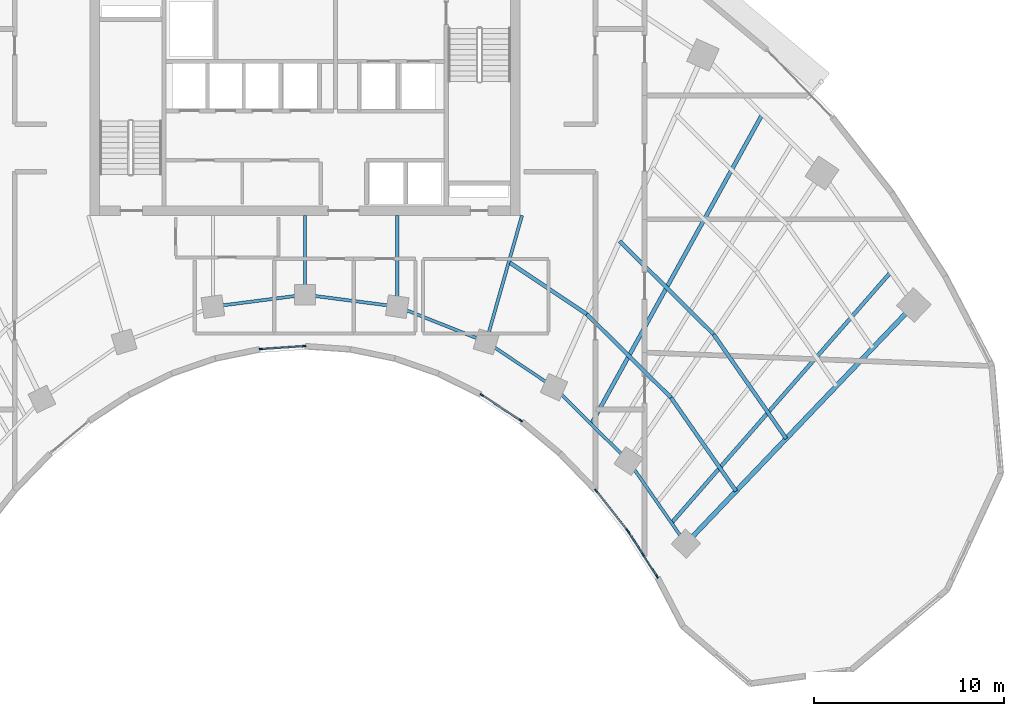
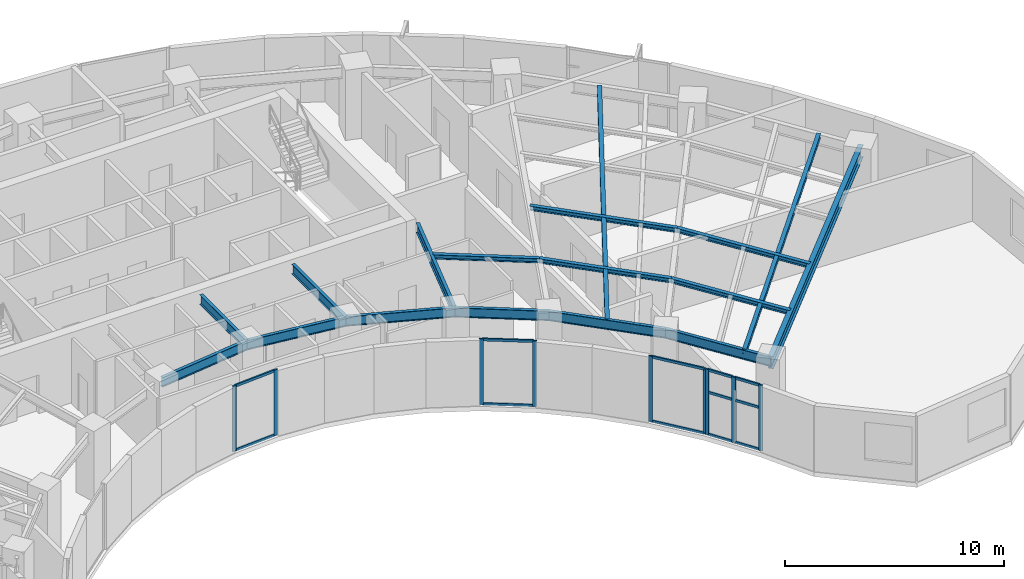
# One storey, part 3 of 14: 21 members, 17 beams, 4 elements without a shape of their own.
"""IFC4 building model written with IfcOpenShell, lengths in metres."""

from ifc_helpers import new_model, si_unit, direction, frame, origin, origin_2d, place, context, subcontext, project, spatial, rectangle, i_section, extrude, source, transform, mapped, material, layer, layer_set, material_profile, profile_set, type_object, type_shapes, element, aggregate, save


model = new_model("IFC4")

# Units and contexts
model_context = context("Model", 3, precision=1e-05, world=origin(), true_north=direction((0.0, 1.0)))
body_context = subcontext(model_context, "Body", "Model", "MODEL_VIEW")
ifc_project = project(units=[si_unit("LENGTHUNIT", "METRE"), si_unit("AREAUNIT", "SQUARE_METRE"), si_unit("VOLUMEUNIT", "CUBIC_METRE"), si_unit("PLANEANGLEUNIT", "RADIAN"), si_unit("MASSUNIT", "GRAM", prefix="KILO")], contexts=[model_context])

# Site, building, storey
site_placement = place(None, origin())
site = spatial("IfcSite", under=ifc_project, at=site_placement, CompositionType="ELEMENT")
building_placement = place(site_placement, origin())
building = spatial("IfcBuilding", under=site, at=building_placement, Name="Breltana Convention Tower", CompositionType="ELEMENT")
storey_placement = place(building_placement, frame((0.0, 0.0, 119.39990234375)))
storey = spatial("IfcBuildingStorey", under=building, at=storey_placement, Name="L28", CompositionType="ELEMENT", Elevation=119.39990234375)

# Beams
ifc_material_1 = material(Name="Steel ASTM A992 Grade 50", Category="steel")
ifc_material_profile_1 = material_profile(ifc_material_1, i_section(OverallWidth=0.25390625, OverallDepth=0.68798828125, WebThickness=0.01318359375, FlangeThickness=0.02099609375, at=origin_2d()), Name="W27X102")
ifc_profile_set_1 = profile_set([ifc_material_profile_1], Name="Steel ASTM A992 Grade 50")
beam_type_1 = type_object("IfcBeamType", Name="BM-RG-W27X102", PredefinedType="USERDEFINED", material=ifc_profile_set_1)
shared_shape_1 = source(origin(), body_context, "Body", "SweptSolid", [
    extrude(i_section(OverallWidth=0.25390625, OverallDepth=0.68798828125, WebThickness=0.01318359375, FlangeThickness=0.02099609375, at=origin_2d()), origin(), (0.0, 0.0, 1.0), 17.341064453125),
])
type_shapes(beam_type_1, [shared_shape_1])
beam_1_placement = place(storey_placement, frame((68.015380859375, 42.95458984375, 3.30615234375), z_axis=(0.690716462293, 0.723125693581, 0.0), x_axis=(-0.723125693581, 0.690716462293, 0.0)))
element("IfcBeam", 1, at=beam_1_placement, inside=storey, type_object=beam_type_1, Name="L28 Radial Floor Girder R11", ObjectType="GIRDER", PredefinedType="USERDEFINED", context=body_context, shape_type="MappedRepresentation", body=[
    mapped(shared_shape_1, transform((0.0, 0.0, 0.0), scale=1.0)),
])
ifc_material_profile_2 = material_profile(ifc_material_1, i_section(OverallWidth=0.166015625, OverallDepth=0.534912109375, WebThickness=0.01025390625, FlangeThickness=0.0166015625, at=origin_2d()), Name="W21X57")
ifc_profile_set_2 = profile_set([ifc_material_profile_2], Name="Steel ASTM A992 Grade 50")
beam_type_2 = type_object("IfcBeamType", Name="BM-BM-W21X57", PredefinedType="BEAM", material=ifc_profile_set_2)
shared_shape_2 = source(origin(), body_context, "Body", "SweptSolid", [
    extrude(i_section(OverallWidth=0.166015625, OverallDepth=0.534912109375, WebThickness=0.01025390625, FlangeThickness=0.0166015625, at=origin_2d()), origin(), (0.0, 0.0, 1.0), 6.904541015625),
])
type_shapes(beam_type_2, [shared_shape_2])
beam_2_placement = place(storey_placement, frame((59.39990234375, 60.199951171875, 3.382568359375), z_axis=(-0.273006781054, -0.962012108811, 0.0), x_axis=(0.962012108811, -0.273006781054, 0.0)))
element("IfcBeam", 2, at=beam_2_placement, inside=storey, type_object=beam_type_2, Name="L28 South Core Tie Girder R08", PredefinedType="BEAM", context=body_context, shape_type="MappedRepresentation", body=[
    mapped(shared_shape_2, transform((0.0, 0.0, 0.0), scale=1.0)),
])
shared_shape_3 = source(origin(), body_context, "Body", "SweptSolid", [
    extrude(i_section(OverallWidth=0.166015625, OverallDepth=0.534912109375, WebThickness=0.01025390625, FlangeThickness=0.0166015625, at=origin_2d()), origin(), (0.0, 0.0, 1.0), 4.789306640625),
])
beam_3_placement = place(storey_placement, frame((52.846435546875, 60.199951171875, 3.382568359375), z_axis=(0.0, -1.0, 0.0), x_axis=(1.0, 0.0, 0.0)))
element("IfcBeam", 3, at=beam_3_placement, inside=storey, type_object=beam_type_2, Name="L28 South Core Tie Girder R07", PredefinedType="BEAM", context=body_context, shape_type="MappedRepresentation", body=[
    mapped(shared_shape_3, transform((0.0, 0.0, 0.0), scale=1.0)),
])
shared_shape_4 = source(origin(), body_context, "Body", "SweptSolid", [
    extrude(i_section(OverallWidth=0.166015625, OverallDepth=0.534912109375, WebThickness=0.01025390625, FlangeThickness=0.0166015625, at=origin_2d()), origin(), (0.0, 0.0, 1.0), 4.1640625),
])
beam_4_placement = place(storey_placement, frame((48.0, 60.199951171875, 3.382568359375), z_axis=(0.0, -1.0, 0.0), x_axis=(1.0, 0.0, 0.0)))
element("IfcBeam", 4, at=beam_4_placement, inside=storey, type_object=beam_type_2, Name="L28 South Core Tie Girder R06", PredefinedType="BEAM", context=body_context, shape_type="MappedRepresentation", body=[
    mapped(shared_shape_4, transform((0.0, 0.0, 0.0), scale=1.0)),
])
shared_shape_5 = source(origin(), body_context, "Body", "SweptSolid", [
    extrude(i_section(OverallWidth=0.166015625, OverallDepth=0.534912109375, WebThickness=0.01025390625, FlangeThickness=0.0166015625, at=origin_2d()), origin(), (0.0, 0.0, 1.0), 5.022705078125),
])
beam_5_placement = place(storey_placement, frame((52.846435546875, 55.41064453125, 3.382568359375), z_axis=(0.929458966248, -0.368925507469, 0.0), x_axis=(0.368925507469, 0.929458966248, 0.0)))
element("IfcBeam", 5, at=beam_5_placement, inside=storey, type_object=beam_type_2, Name="L28 Inner Ring Beam 07", PredefinedType="BEAM", context=body_context, shape_type="MappedRepresentation", body=[
    mapped(shared_shape_5, transform((0.0, 0.0, 0.0), scale=1.0)),
])
shared_shape_6 = source(origin(), body_context, "Body", "SweptSolid", [
    extrude(i_section(OverallWidth=0.166015625, OverallDepth=0.534912109375, WebThickness=0.01025390625, FlangeThickness=0.0166015625, at=origin_2d()), origin(), (0.0, 0.0, 1.0), 4.88671875),
])
for number, where, z_axis, x_axis, name in (
    (6, (43.153564453125, 55.41064453125, 3.382568359375), (0.991780525565, 0.127950729231, 0.0), (-0.127950729231, 0.991780525565, 0.0), "L28 Inner Ring Beam 05"),
    (7, (48.0, 56.035888671875, 3.382568359375), (0.991780525565, -0.127950729231, 0.0), (0.127950729231, 0.991780525565, 0.0), "L28 Inner Ring Beam 06"),
):
    element("IfcBeam", number, at=place(storey_placement, frame(where, z_axis=z_axis, x_axis=x_axis)), inside=storey, type_object=beam_type_2, Name=name, PredefinedType="BEAM", context=body_context, shape_type="MappedRepresentation", body=[
        mapped(shared_shape_6, transform((0.0, 0.0, 0.0), scale=1.0)),
    ])
shared_shape_7 = source(origin(), body_context, "Body", "SweptSolid", [
    extrude(i_section(OverallWidth=0.166015625, OverallDepth=0.534912109375, WebThickness=0.01025390625, FlangeThickness=0.0166015625, at=origin_2d()), origin(), (0.0, 0.0, 1.0), 4.2900390625),
])
beam_6_placement = place(storey_placement, frame((57.514892578125, 53.5576171875, 3.382568359375), z_axis=(0.831515827753, -0.555501060482, 0.0), x_axis=(0.555501060482, 0.831515827753, 0.0)))
element("IfcBeam", 8, at=beam_6_placement, inside=storey, type_object=beam_type_2, Name="L28 Inner Ring Beam 08", PredefinedType="BEAM", context=body_context, shape_type="MappedRepresentation", body=[
    mapped(shared_shape_7, transform((0.0, 0.0, 0.0), scale=1.0)),
])
shared_shape_8 = source(origin(), body_context, "Body", "SweptSolid", [
    extrude(i_section(OverallWidth=0.166015625, OverallDepth=0.534912109375, WebThickness=0.01025390625, FlangeThickness=0.0166015625, at=origin_2d()), origin(), (0.0, 0.0, 1.0), 5.51171875),
])
beam_7_placement = place(storey_placement, frame((61.08203125, 51.174560546875, 3.382568359375), z_axis=(0.710090360749, -0.704110559196, 0.0), x_axis=(0.704110559196, 0.710090360749, 0.0)))
element("IfcBeam", 9, at=beam_7_placement, inside=storey, type_object=beam_type_2, Name="L28 Inner Ring Beam 09", PredefinedType="BEAM", context=body_context, shape_type="MappedRepresentation", body=[
    mapped(shared_shape_8, transform((0.0, 0.0, 0.0), scale=1.0)),
])
shared_shape_9 = source(origin(), body_context, "Body", "SweptSolid", [
    extrude(i_section(OverallWidth=0.166015625, OverallDepth=0.534912109375, WebThickness=0.01025390625, FlangeThickness=0.0166015625, at=origin_2d()), origin(), (0.0, 0.0, 1.0), 5.286376953125),
])
beam_8_placement = place(storey_placement, frame((64.995849609375, 47.293701171875, 3.382568359375), z_axis=(0.571194382458, -0.82081482531, 0.0), x_axis=(0.82081482531, 0.571194382458, 0.0)))
element("IfcBeam", 10, at=beam_8_placement, inside=storey, type_object=beam_type_2, Name="L28 Inner Ring Beam 10", PredefinedType="BEAM", context=body_context, shape_type="MappedRepresentation", body=[
    mapped(shared_shape_9, transform((0.0, 0.0, 0.0), scale=1.0)),
])
ifc_material_profile_3 = material_profile(ifc_material_1, i_section(OverallWidth=0.201904296875, OverallDepth=0.2470703125, WebThickness=0.00732421875, FlangeThickness=0.010986328125, at=origin_2d()), Name="W10X33")
ifc_profile_set_3 = profile_set([ifc_material_profile_3], Name="Steel ASTM A992 Grade 50")
beam_type_3 = type_object("IfcBeamType", Name="BM-JSG-11", PredefinedType="JOIST", material=ifc_profile_set_3)
shared_shape_10 = source(origin(), body_context, "Body", "SweptSolid", [
    extrude(i_section(OverallWidth=0.201904296875, OverallDepth=0.2470703125, WebThickness=0.00732421875, FlangeThickness=0.010986328125, at=origin_2d()), origin(), (0.0, 0.0, 1.0), 4.854736328125),
])
beam_9_placement = place(storey_placement, frame((58.767578125, 57.71240234375, 3.526611328125), z_axis=(0.831485074305, -0.555547091801, 0.0), x_axis=(0.555547091801, 0.831485074305, 0.0)))
element("IfcBeam", 11, at=beam_9_placement, inside=storey, type_object=beam_type_3, Name="L28 Composite Floor Joist 08.1", PredefinedType="JOIST", context=body_context, shape_type="MappedRepresentation", body=[
    mapped(shared_shape_10, transform((0.0, 0.0, 0.0), scale=1.0)),
])
shared_shape_11 = source(origin(), body_context, "Body", "SweptSolid", [
    extrude(i_section(OverallWidth=0.201904296875, OverallDepth=0.2470703125, WebThickness=0.00732421875, FlangeThickness=0.010986328125, at=origin_2d()), origin(), (0.0, 0.0, 1.0), 6.2373046875),
])
beam_10_placement = place(storey_placement, frame((62.80419921875, 55.015380859375, 3.526611328125), z_axis=(0.710114292485, -0.704086423394, 0.0), x_axis=(0.704086423394, 0.710114292485, 0.0)))
element("IfcBeam", 12, at=beam_10_placement, inside=storey, type_object=beam_type_3, Name="L28 Composite Floor Joist 09.1", PredefinedType="JOIST", context=body_context, shape_type="MappedRepresentation", body=[
    mapped(shared_shape_11, transform((0.0, 0.0, 0.0), scale=1.0)),
])
shared_shape_12 = source(origin(), body_context, "Body", "SweptSolid", [
    extrude(i_section(OverallWidth=0.201904296875, OverallDepth=0.2470703125, WebThickness=0.00732421875, FlangeThickness=0.010986328125, at=origin_2d()), origin(), (0.0, 0.0, 1.0), 6.963134765625),
])
beam_11_placement = place(storey_placement, frame((64.526611328125, 58.8564453125, 3.526611328125), z_axis=(0.71009817493, -0.704102678564, 0.0), x_axis=(0.704102678564, 0.71009817493, 0.0)))
element("IfcBeam", 13, at=beam_11_placement, inside=storey, type_object=beam_type_3, Name="L28 Composite Floor Joist 09.2", PredefinedType="JOIST", context=body_context, shape_type="MappedRepresentation", body=[
    mapped(shared_shape_12, transform((0.0, 0.0, 0.0), scale=1.0)),
])
ifc_material_profile_4 = material_profile(ifc_material_1, i_section(OverallWidth=0.2099609375, OverallDepth=0.537109375, WebThickness=0.010986328125, FlangeThickness=0.017333984375, at=origin_2d()), Name="W21X68")
ifc_profile_set_4 = profile_set([ifc_material_profile_4], Name="Steel ASTM A992 Grade 50")
beam_type_4 = type_object("IfcBeamType", Name="BM-JSG-04", PredefinedType="JOIST", material=ifc_profile_set_4)
shared_shape_13 = source(origin(), body_context, "Body", "SweptSolid", [
    extrude(i_section(OverallWidth=0.2099609375, OverallDepth=0.537109375, WebThickness=0.010986328125, FlangeThickness=0.017333984375, at=origin_2d()), origin(), (0.0, 0.0, 1.0), 18.617431640625),
])
beam_12_placement = place(storey_placement, frame((63.038818359375, 49.234130859375, 3.381591796875), z_axis=(0.483405602507, 0.875396495004, 0.0), x_axis=(-0.875396495004, 0.483405602507, 0.0)))
element("IfcBeam", 14, at=beam_12_placement, inside=storey, type_object=beam_type_4, Name="L28 Mid-Bay Radial Trimmer 09", PredefinedType="JOIST", context=body_context, shape_type="MappedRepresentation", body=[
    mapped(shared_shape_13, transform((0.0, 0.0, 0.0), scale=1.0)),
])
shared_shape_14 = source(origin(), body_context, "Body", "SweptSolid", [
    extrude(i_section(OverallWidth=0.201904296875, OverallDepth=0.2470703125, WebThickness=0.00732421875, FlangeThickness=0.010986328125, at=origin_2d()), origin(), (0.0, 0.0, 1.0), 5.982421875),
])
beam_13_placement = place(storey_placement, frame((67.2333984375, 50.623779296875, 3.526611328125), z_axis=(0.571211549446, -0.82080287876, 0.0), x_axis=(0.82080287876, 0.571211549446, 0.0)))
element("IfcBeam", 15, at=beam_13_placement, inside=storey, type_object=beam_type_3, Name="L28 Composite Floor Joist 10.1", PredefinedType="JOIST", context=body_context, shape_type="MappedRepresentation", body=[
    mapped(shared_shape_14, transform((0.0, 0.0, 0.0), scale=1.0)),
])
shared_shape_15 = source(origin(), body_context, "Body", "SweptSolid", [
    extrude(i_section(OverallWidth=0.201904296875, OverallDepth=0.2470703125, WebThickness=0.00732421875, FlangeThickness=0.010986328125, at=origin_2d()), origin(), (0.0, 0.0, 1.0), 6.677978515625),
])
beam_14_placement = place(storey_placement, frame((69.47119140625, 53.95361328125, 3.526611328125), z_axis=(0.571193018768, -0.820815774282, 0.0), x_axis=(0.820815774282, 0.571193018768, 0.0)))
element("IfcBeam", 16, at=beam_14_placement, inside=storey, type_object=beam_type_3, Name="L28 Composite Floor Joist 10.2", PredefinedType="JOIST", context=body_context, shape_type="MappedRepresentation", body=[
    mapped(shared_shape_15, transform((0.0, 0.0, 0.0), scale=1.0)),
])
shared_shape_16 = source(origin(), body_context, "Body", "SweptSolid", [
    extrude(i_section(OverallWidth=0.201904296875, OverallDepth=0.2470703125, WebThickness=0.00732421875, FlangeThickness=0.010986328125, at=origin_2d()), origin(), (0.0, 0.0, 1.0), 17.515625),
])
beam_15_placement = place(storey_placement, frame((67.260498046875, 44.03955078125, 3.526611328125), z_axis=(0.658051548324, 0.752972881151, 0.0), x_axis=(-0.752972881151, 0.658051548324, 0.0)))
element("IfcBeam", 17, at=beam_15_placement, inside=storey, type_object=beam_type_3, Name="L28 Quarter-Bay Radial Trimmer 10", PredefinedType="JOIST", context=body_context, shape_type="MappedRepresentation", body=[
    mapped(shared_shape_16, transform((0.0, 0.0, 0.0), scale=1.0)),
])

# Curtain wall, members
ifc_material_2 = material(Name="Aluminium Anodised Bronze Frame", Category="aluminium")
ifc_layer = layer(ifc_material_2, 0.18994140625, Name="Aluminium Anodised Bronze Frame")
ifc_layer_set = layer_set([ifc_layer], Name="Aluminium Anodised Bronze Frame")
curtain_wall_type = type_object("IfcCurtainWallType", Name="CW-SYS-1", PredefinedType="NOTDEFINED", material=ifc_layer_set)
curtain_wall_1_placement = place(storey_placement, origin())
curtain_wall_1 = element("IfcCurtainWall", 18, at=curtain_wall_1_placement, inside=storey, type_object=curtain_wall_type, Name="L28 inner south-court glazing 1", PredefinedType="NOTDEFINED")
ifc_material_3 = material(Name="Aluminium Anodised Bronze", Category="aluminium")
ifc_material_profile_5 = material_profile(ifc_material_3, rectangle(XDim=0.080078125, YDim=0.139892578125, at=origin_2d()), Name="CWT-80X140")
ifc_profile_set_5 = profile_set([ifc_material_profile_5], Name="Aluminium Anodised Bronze")
member_type_1 = type_object("IfcMemberType", Name="CWT-140", PredefinedType="USERDEFINED", material=ifc_profile_set_5)
shared_shape_17 = source(origin(), body_context, "Body", "SweptSolid", [
    extrude(rectangle(XDim=0.080078125, YDim=0.139892578125, at=origin_2d()), origin(), (0.0, 0.0, 1.0), 1.30029296875),
])
member_1_placement = place(storey_placement, frame((66.4794921875, 41.259521484375, 0.0400390625), z_axis=(-0.540188084224, 0.841544314735, 0.0), x_axis=(-0.841544314735, -0.540188084224, 0.0)))
member_1 = element("IfcMember", 19, at=member_1_placement, type_object=member_type_1, Name="CW-01 transom 1.1", ObjectType="TRANSOM", PredefinedType="USERDEFINED", context=body_context, shape_type="MappedRepresentation", body=[
    mapped(shared_shape_17, transform((0.0, 0.0, 0.0), scale=1.0)),
])
member_2_placement = place(storey_placement, frame((66.4794921875, 41.259521484375, 2.37255859375), z_axis=(-0.540188084224, 0.841544314735, 0.0), x_axis=(-0.841544314735, -0.540188084224, 0.0)))
member_2 = element("IfcMember", 20, at=member_2_placement, type_object=member_type_1, Name="CW-01 transom 1.2", ObjectType="TRANSOM", PredefinedType="USERDEFINED", context=body_context, shape_type="MappedRepresentation", body=[
    mapped(shared_shape_17, transform((0.0, 0.0, 0.0), scale=1.0)),
])
member_3_placement = place(storey_placement, frame((66.4794921875, 41.259521484375, 3.610107421875), z_axis=(-0.540188084224, 0.841544314735, 0.0), x_axis=(-0.841544314735, -0.540188084224, 0.0)))
member_3 = element("IfcMember", 21, at=member_3_placement, type_object=member_type_1, Name="CW-01 transom 1.3", ObjectType="TRANSOM", PredefinedType="USERDEFINED", context=body_context, shape_type="MappedRepresentation", body=[
    mapped(shared_shape_17, transform((0.0, 0.0, 0.0), scale=1.0)),
])
shared_shape_18 = source(origin(), body_context, "Body", "SweptSolid", [
    extrude(rectangle(XDim=0.080078125, YDim=0.139892578125, at=origin_2d()), origin(), (0.0, 0.0, 1.0), 1.300048828125),
])
member_4_placement = place(storey_placement, frame((65.73388671875, 42.4208984375, 0.0400390625), z_axis=(-0.540140453972, 0.841574886735, 0.0), x_axis=(-0.841574886735, -0.540140453972, 0.0)))
member_4 = element("IfcMember", 22, at=member_4_placement, type_object=member_type_1, Name="CW-01 transom 2.1", ObjectType="TRANSOM", PredefinedType="USERDEFINED", context=body_context, shape_type="MappedRepresentation", body=[
    mapped(shared_shape_18, transform((0.0, 0.0, 0.0), scale=1.0)),
])
member_5_placement = place(storey_placement, frame((65.73388671875, 42.4208984375, 2.37255859375), z_axis=(-0.540140453972, 0.841574886735, 0.0), x_axis=(-0.841574886735, -0.540140453972, 0.0)))
member_5 = element("IfcMember", 23, at=member_5_placement, type_object=member_type_1, Name="CW-01 transom 2.2", ObjectType="TRANSOM", PredefinedType="USERDEFINED", context=body_context, shape_type="MappedRepresentation", body=[
    mapped(shared_shape_18, transform((0.0, 0.0, 0.0), scale=1.0)),
])
member_6_placement = place(storey_placement, frame((65.73388671875, 42.4208984375, 3.610107421875), z_axis=(-0.540140453972, 0.841574886735, 0.0), x_axis=(-0.841574886735, -0.540140453972, 0.0)))
member_6 = element("IfcMember", 24, at=member_6_placement, type_object=member_type_1, Name="CW-01 transom 2.3", ObjectType="TRANSOM", PredefinedType="USERDEFINED", context=body_context, shape_type="MappedRepresentation", body=[
    mapped(shared_shape_18, transform((0.0, 0.0, 0.0), scale=1.0)),
])

curtain_wall_2_placement = place(storey_placement, origin())
curtain_wall_2 = element("IfcCurtainWall", 25, at=curtain_wall_2_placement, inside=storey, type_object=curtain_wall_type, Name="L28 inner south-court glazing 2", PredefinedType="NOTDEFINED")
shared_shape_19 = source(origin(), body_context, "Body", "SweptSolid", [
    extrude(rectangle(XDim=0.080078125, YDim=0.139892578125, at=origin_2d()), origin(), (0.0, 0.0, 1.0), 2.6005859375),
])
member_7_placement = place(storey_placement, frame((64.928955078125, 43.6591796875, 0.0400390625), z_axis=(-0.618078566977, 0.786116330478, 0.0), x_axis=(-0.786116330478, -0.618078566977, 0.0)))
member_7 = element("IfcMember", 26, at=member_7_placement, type_object=member_type_1, Name="CW-01 transom 1.1", ObjectType="TRANSOM", PredefinedType="USERDEFINED", context=body_context, shape_type="MappedRepresentation", body=[
    mapped(shared_shape_19, transform((0.0, 0.0, 0.0), scale=1.0)),
])
member_8_placement = place(storey_placement, frame((64.928955078125, 43.6591796875, 3.610107421875), z_axis=(-0.618078566977, 0.786116330478, 0.0), x_axis=(-0.786116330478, -0.618078566977, 0.0)))
member_8 = element("IfcMember", 27, at=member_8_placement, type_object=member_type_1, Name="CW-01 transom 1.2", ObjectType="TRANSOM", PredefinedType="USERDEFINED", context=body_context, shape_type="MappedRepresentation", body=[
    mapped(shared_shape_19, transform((0.0, 0.0, 0.0), scale=1.0)),
])

curtain_wall_3_placement = place(storey_placement, origin())
curtain_wall_3 = element("IfcCurtainWall", 28, at=curtain_wall_3_placement, inside=storey, type_object=curtain_wall_type, Name="L28 inner south-court glazing 3", PredefinedType="NOTDEFINED")
shared_shape_20 = source(origin(), body_context, "Body", "SweptSolid", [
    extrude(rectangle(XDim=0.080078125, YDim=0.139892578125, at=origin_2d()), origin(), (0.0, 0.0, 1.0), 2.3671875),
])
member_9_placement = place(storey_placement, frame((59.3037109375, 49.443115234375, 0.0400390625), z_axis=(-0.835979901311, 0.548760061051, 0.0), x_axis=(-0.548760061051, -0.835979901311, 0.0)))
member_9 = element("IfcMember", 29, at=member_9_placement, type_object=member_type_1, Name="CW-01 transom 1.1", ObjectType="TRANSOM", PredefinedType="USERDEFINED", context=body_context, shape_type="MappedRepresentation", body=[
    mapped(shared_shape_20, transform((0.0, 0.0, 0.0), scale=1.0)),
])
member_10_placement = place(storey_placement, frame((59.3037109375, 49.443115234375, 3.610107421875), z_axis=(-0.835979901311, 0.548760061051, 0.0), x_axis=(-0.548760061051, -0.835979901311, 0.0)))
member_10 = element("IfcMember", 30, at=member_10_placement, type_object=member_type_1, Name="CW-01 transom 1.2", ObjectType="TRANSOM", PredefinedType="USERDEFINED", context=body_context, shape_type="MappedRepresentation", body=[
    mapped(shared_shape_20, transform((0.0, 0.0, 0.0), scale=1.0)),
])

curtain_wall_4_placement = place(storey_placement, origin())
curtain_wall_4 = element("IfcCurtainWall", 31, at=curtain_wall_4_placement, inside=storey, type_object=curtain_wall_type, Name="L28 inner south-court glazing 4", PredefinedType="NOTDEFINED")
shared_shape_21 = source(origin(), body_context, "Body", "SweptSolid", [
    extrude(rectangle(XDim=0.080078125, YDim=0.139892578125, at=origin_2d()), origin(), (0.0, 0.0, 1.0), 2.195068359375),
])
member_11_placement = place(storey_placement, frame((47.907958984375, 53.3291015625, 0.0400390625), z_axis=(-0.99770320904, -0.067737040614, 0.0), x_axis=(0.067737040614, -0.99770320904, 0.0)))
member_11 = element("IfcMember", 32, at=member_11_placement, type_object=member_type_1, Name="CW-01 transom 1.1", ObjectType="TRANSOM", PredefinedType="USERDEFINED", context=body_context, shape_type="MappedRepresentation", body=[
    mapped(shared_shape_21, transform((0.0, 0.0, 0.0), scale=1.0)),
])
member_12_placement = place(storey_placement, frame((47.907958984375, 53.3291015625, 3.610107421875), z_axis=(-0.99770320904, -0.067737040614, 0.0), x_axis=(0.067737040614, -0.99770320904, 0.0)))
member_12 = element("IfcMember", 33, at=member_12_placement, type_object=member_type_1, Name="CW-01 transom 1.2", ObjectType="TRANSOM", PredefinedType="USERDEFINED", context=body_context, shape_type="MappedRepresentation", body=[
    mapped(shared_shape_21, transform((0.0, 0.0, 0.0), scale=1.0)),
])

# Member
ifc_material_profile_6 = material_profile(ifc_material_3, rectangle(XDim=0.080078125, YDim=0.199951171875, at=origin_2d()), Name="CWM-80X200")
ifc_profile_set_6 = profile_set([ifc_material_profile_6], Name="Aluminium Anodised Bronze")
member_type_2 = type_object("IfcMemberType", Name="CWM-200", PredefinedType="MULLION", material=ifc_profile_set_6)
shared_shape_22 = source(origin(), body_context, "Body", "SweptSolid", [
    extrude(rectangle(XDim=0.080078125, YDim=0.199951171875, at=origin_2d()), origin(), (0.0, 0.0, 1.0), 3.650146484375),
])
member_13_placement = place(storey_placement, frame((66.5009765625, 41.22607421875, 0.0), z_axis=(0.0, 0.0, 1.0), x_axis=(-0.841551235949, -0.5401773017, 0.0)))
member_13 = element("IfcMember", 34, at=member_13_placement, type_object=member_type_2, Name="CW-01 mullion 1", PredefinedType="MULLION", context=body_context, shape_type="MappedRepresentation", body=[
    mapped(shared_shape_22, transform((0.0, 0.0, 0.0), scale=1.0)),
])

member_14_placement = place(storey_placement, frame((65.755615234375, 42.38720703125, 0.0), z_axis=(0.0, 0.0, 1.0), x_axis=(-0.841551235949, -0.5401773017, 0.0)))
member_14 = element("IfcMember", 35, at=member_14_placement, type_object=member_type_2, Name="CW-01 mullion 2", PredefinedType="MULLION", context=body_context, shape_type="MappedRepresentation", body=[
    mapped(shared_shape_22, transform((0.0, 0.0, 0.0), scale=1.0)),
])

member_15_placement = place(storey_placement, frame((65.010009765625, 43.548583984375, 0.0), z_axis=(0.0, 0.0, 1.0), x_axis=(-0.841551235949, -0.5401773017, 0.0)))
member_15 = element("IfcMember", 36, at=member_15_placement, type_object=member_type_2, Name="CW-01 mullion 3", PredefinedType="MULLION", context=body_context, shape_type="MappedRepresentation", body=[
    mapped(shared_shape_22, transform((0.0, 0.0, 0.0), scale=1.0)),
])

aggregate(curtain_wall_1, [member_13, member_14, member_15, member_1, member_2, member_3, member_4, member_5, member_6])

member_16_placement = place(storey_placement, frame((64.953857421875, 43.6279296875, 0.0), z_axis=(0.0, 0.0, 1.0), x_axis=(-0.786054302547, -0.61815745037, 0.0)))
member_16 = element("IfcMember", 37, at=member_16_placement, type_object=member_type_2, Name="CW-01 mullion 1", PredefinedType="MULLION", context=body_context, shape_type="MappedRepresentation", body=[
    mapped(shared_shape_22, transform((0.0, 0.0, 0.0), scale=1.0)),
])

member_17_placement = place(storey_placement, frame((63.296630859375, 45.73486328125, 0.0), z_axis=(0.0, 0.0, 1.0), x_axis=(-0.786054302547, -0.61815745037, 0.0)))
member_17 = element("IfcMember", 38, at=member_17_placement, type_object=member_type_2, Name="CW-01 mullion 2", PredefinedType="MULLION", context=body_context, shape_type="MappedRepresentation", body=[
    mapped(shared_shape_22, transform((0.0, 0.0, 0.0), scale=1.0)),
])

aggregate(curtain_wall_2, [member_16, member_17, member_7, member_8])

member_18_placement = place(storey_placement, frame((59.337158203125, 49.421142578125, 0.0), z_axis=(0.0, 0.0, 1.0), x_axis=(-0.548778301858, -0.835967927261, 0.0)))
member_18 = element("IfcMember", 39, at=member_18_placement, type_object=member_type_2, Name="CW-01 mullion 1", PredefinedType="MULLION", context=body_context, shape_type="MappedRepresentation", body=[
    mapped(shared_shape_22, transform((0.0, 0.0, 0.0), scale=1.0)),
])

member_19_placement = place(storey_placement, frame((57.291259765625, 50.76416015625, 0.0), z_axis=(0.0, 0.0, 1.0), x_axis=(-0.548778301858, -0.835967927261, 0.0)))
member_19 = element("IfcMember", 40, at=member_19_placement, type_object=member_type_2, Name="CW-01 mullion 2", PredefinedType="MULLION", context=body_context, shape_type="MappedRepresentation", body=[
    mapped(shared_shape_22, transform((0.0, 0.0, 0.0), scale=1.0)),
])

aggregate(curtain_wall_3, [member_18, member_19, member_9, member_10])

member_20_placement = place(storey_placement, frame((47.947998046875, 53.331787109375, 0.0), z_axis=(0.0, 0.0, 1.0), x_axis=(0.067728021582, -0.997703821328, 0.0)))
member_20 = element("IfcMember", 41, at=member_20_placement, type_object=member_type_2, Name="CW-01 mullion 1", PredefinedType="MULLION", context=body_context, shape_type="MappedRepresentation", body=[
    mapped(shared_shape_22, transform((0.0, 0.0, 0.0), scale=1.0)),
])

member_21_placement = place(storey_placement, frame((45.67822265625, 53.177734375, 0.0), z_axis=(0.0, 0.0, 1.0), x_axis=(0.067728021582, -0.997703821328, 0.0)))
member_21 = element("IfcMember", 42, at=member_21_placement, type_object=member_type_2, Name="CW-01 mullion 2", PredefinedType="MULLION", context=body_context, shape_type="MappedRepresentation", body=[
    mapped(shared_shape_22, transform((0.0, 0.0, 0.0), scale=1.0)),
])

aggregate(curtain_wall_4, [member_20, member_21, member_11, member_12])

save(model, "model.ifc")
